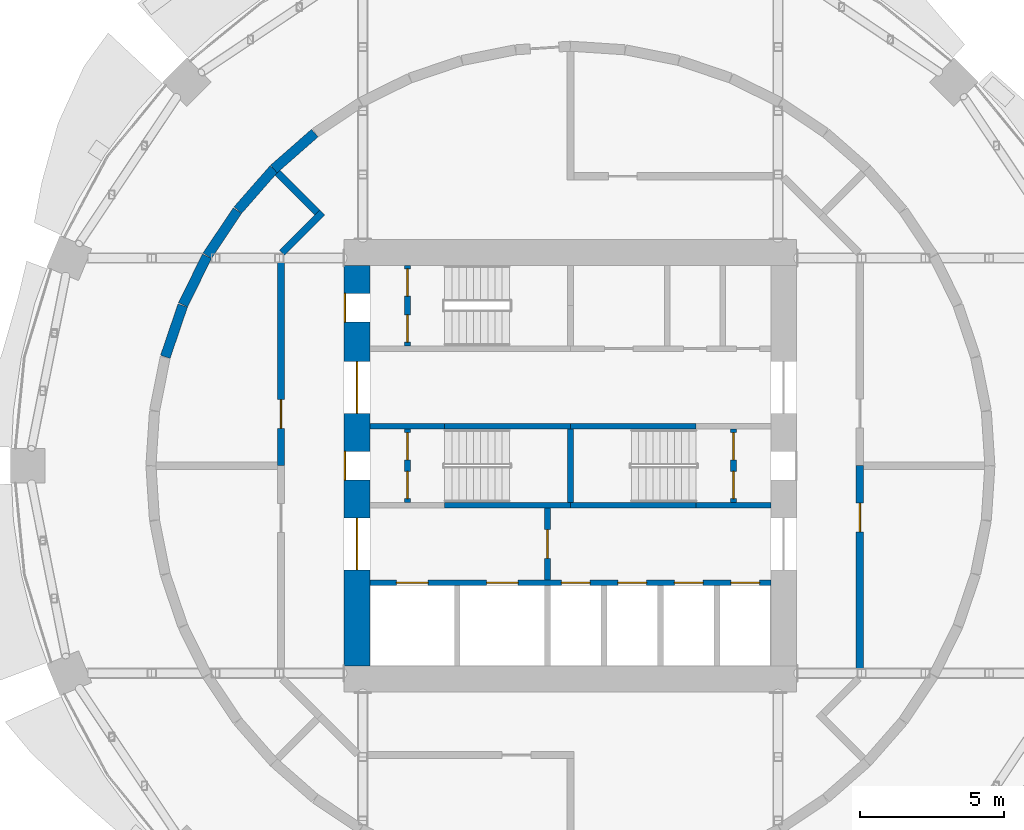
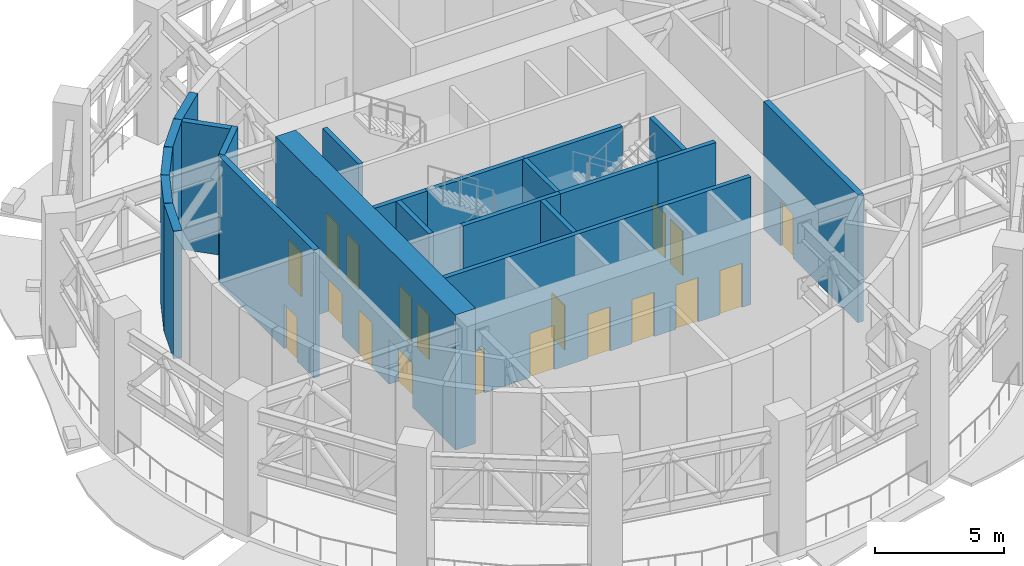
# One storey, part 7 of 14: 22 walls, 19 doors, 19 openings.
"""IFC4 building model written with IfcOpenShell, lengths in metres."""

from ifc_helpers import new_model, si_unit, direction, frame, frame_2d, origin, place, context, subcontext, project, spatial, rectangle, extrude, material, layer, layer_set, type_object, element, fill, save


model = new_model("IFC4")

# Units and contexts
model_context = context("Model", 3, precision=1e-05, world=origin(), true_north=direction((0.0, 1.0)))
body_context = subcontext(model_context, "Body", "Model", "MODEL_VIEW")
ifc_project = project(units=[si_unit("LENGTHUNIT", "METRE"), si_unit("AREAUNIT", "SQUARE_METRE"), si_unit("VOLUMEUNIT", "CUBIC_METRE"), si_unit("PLANEANGLEUNIT", "RADIAN"), si_unit("MASSUNIT", "GRAM", prefix="KILO")], contexts=[model_context])

# Site, building, storey
site_placement = place(None, origin())
site = spatial("IfcSite", under=ifc_project, at=site_placement, CompositionType="ELEMENT")
building_placement = place(site_placement, origin())
building = spatial("IfcBuilding", under=site, at=building_placement, Name="Polderwave Tower", CompositionType="ELEMENT")
storey_placement = place(building_placement, frame((0.0, 0.0, 66.35009765625)))
storey = spatial("IfcBuildingStorey", under=building, at=storey_placement, Name="L17", CompositionType="ELEMENT", Elevation=66.35009765625)

# Wall, openings, doors
ifc_material_1 = material(Name="Concrete C80/95", Category="concrete")
ifc_layer_1 = layer(ifc_material_1, 0.89990234375)
ifc_layer_set_1 = layer_set([ifc_layer_1], Name="CORE WALL 900 C80/95")
wall_type_1 = type_object("IfcWallType", Name="CORE WALL 900 C80/95", PredefinedType="SHEAR", material=ifc_layer_set_1)
wall_1_placement = place(storey_placement, frame((-7.424072265625, -6.97412109375, 0.0), z_axis=(0.0, 0.0, 1.0), x_axis=(0.0, 1.0, 0.0)))
wall_1 = element("IfcWall", 1, at=wall_1_placement, inside=storey, type_object=wall_type_1, Name="ST-CORE-L17-W", PredefinedType="SHEAR", context=body_context, shape_type="SweptSolid", body=[
    extrude(rectangle(XDim=13.9482421875, YDim=0.89990234375, at=frame_2d((6.97412109375, 0.0))), origin(), (0.0, 0.0, 1.0), 6.39990234375),
])
opening_1_placement = place(wall_1_placement, frame((6.47412109375, 0.0, 0.0)))
opening_1 = element("IfcOpeningElement", 2, at=opening_1_placement, cuts=wall_1, Name="Opening L17-D17", PredefinedType="OPENING", context=body_context, shape_type="SweptSolid", body=[
    extrude(rectangle(XDim=1.0, YDim=2.10009765625, at=frame_2d((0.5, 1.050048828125))), frame((0.0, 0.4599609375, 0.0), z_axis=(0.0, -1.0, 0.0), x_axis=(1.0, 0.0, 0.0)), (0.0, 0.0, 1.0), 0.919921875),
])
opening_2_placement = place(wall_1_placement, frame((3.349609375, 0.0, 0.0)))
opening_2 = element("IfcOpeningElement", 3, at=opening_2_placement, cuts=wall_1, Name="Opening L17-D18", PredefinedType="OPENING", context=body_context, shape_type="SweptSolid", body=[
    extrude(rectangle(XDim=1.800048828125, YDim=2.10009765625, at=frame_2d((0.89990234375, 1.050048828125))), frame((0.0, 0.4599609375, 0.0), z_axis=(0.0, -1.0, 0.0), x_axis=(1.0, 0.0, 0.0)), (0.0, 0.0, 1.0), 0.919921875),
])
opening_3_placement = place(wall_1_placement, frame((8.798583984375, 0.0, 0.0)))
opening_3 = element("IfcOpeningElement", 4, at=opening_3_placement, cuts=wall_1, Name="Opening L17-D19", PredefinedType="OPENING", context=body_context, shape_type="SweptSolid", body=[
    extrude(rectangle(XDim=1.800048828125, YDim=2.10009765625, at=frame_2d((0.89990234375, 1.050048828125))), frame((0.0, 0.4599609375, 0.0), z_axis=(0.0, -1.0, 0.0), x_axis=(1.0, 0.0, 0.0)), (0.0, 0.0, 1.0), 0.919921875),
])
opening_4_placement = place(wall_1_placement, frame((11.97412109375, 0.0, 0.0)))
opening_4 = element("IfcOpeningElement", 5, at=opening_4_placement, cuts=wall_1, Name="Opening L17-D20", PredefinedType="OPENING", context=body_context, shape_type="SweptSolid", body=[
    extrude(rectangle(XDim=1.0, YDim=2.10009765625, at=frame_2d((0.5, 1.050048828125))), frame((0.0, 0.4599609375, 0.0), z_axis=(0.0, -1.0, 0.0), x_axis=(1.0, 0.0, 0.0)), (0.0, 0.0, 1.0), 0.919921875),
])
ifc_material_2 = material(Name="Steel fire door", Category="steel")
door_type_1 = type_object("IfcDoorType", Name="Lobby entry door pair 1800", OperationType="DOUBLE_DOOR_SINGLE_SWING", PredefinedType="DOOR", material=ifc_material_2)
door_1_placement = place(opening_2_placement, origin())
door_1 = element("IfcDoor", 6, at=door_1_placement, inside=storey, type_object=door_type_1, Name="Fire-fighting lobby entry door", OperationType="DOUBLE_DOOR_SINGLE_SWING", OverallHeight=2.10009765625, OverallWidth=1.800048828125, PredefinedType="DOOR", context=body_context, shape_type="SweptSolid", body=[
    extrude(rectangle(XDim=1.800048828125, YDim=2.10009765625, at=frame_2d((0.89990234375, 1.050048828125))), frame((0.0, 0.02490234375, 0.0), z_axis=(0.0, -1.0, 0.0), x_axis=(1.0, 0.0, 0.0)), (0.0, 0.0, 1.0), 0.050048828125),
])
fill(opening_2, door_1)
door_2_placement = place(opening_3_placement, origin())
door_2 = element("IfcDoor", 7, at=door_2_placement, inside=storey, type_object=door_type_1, Name="North lobby entry door", OperationType="DOUBLE_DOOR_SINGLE_SWING", OverallHeight=2.10009765625, OverallWidth=1.800048828125, PredefinedType="DOOR", context=body_context, shape_type="SweptSolid", body=[
    extrude(rectangle(XDim=1.800048828125, YDim=2.10009765625, at=frame_2d((0.89990234375, 1.050048828125))), frame((0.0, 0.02490234375, 0.0), z_axis=(0.0, -1.0, 0.0), x_axis=(1.0, 0.0, 0.0)), (0.0, 0.0, 1.0), 0.050048828125),
])
fill(opening_3, door_2)
door_type_2 = type_object("IfcDoorType", Name="Stair door 1000", OperationType="NOTDEFINED", PredefinedType="DOOR", material=ifc_material_2)
door_3_placement = place(opening_1_placement, origin())
door_3 = element("IfcDoor", 8, at=door_3_placement, inside=storey, type_object=door_type_2, Name="Stair A entry door", OperationType="SINGLE_SWING_RIGHT", OverallHeight=2.10009765625, OverallWidth=1.0, PredefinedType="DOOR", context=body_context, shape_type="SweptSolid", body=[
    extrude(rectangle(XDim=1.0, YDim=2.10009765625, at=frame_2d((0.5, 1.050048828125))), frame((0.0, 0.4501953125, 0.0), z_axis=(0.0, -1.0, 0.0), x_axis=(1.0, 0.0, 0.0)), (0.0, 0.0, 1.0), 0.050048828125),
])
fill(opening_1, door_3)
door_4_placement = place(opening_4_placement, origin())
door_4 = element("IfcDoor", 9, at=door_4_placement, inside=storey, type_object=door_type_2, Name="Stair C entry door", OperationType="SINGLE_SWING_RIGHT", OverallHeight=2.10009765625, OverallWidth=1.0, PredefinedType="DOOR", context=body_context, shape_type="SweptSolid", body=[
    extrude(rectangle(XDim=1.0, YDim=2.10009765625, at=frame_2d((0.5, 1.050048828125))), frame((0.0, 0.4501953125, 0.0), z_axis=(0.0, -1.0, 0.0), x_axis=(1.0, 0.0, 0.0)), (0.0, 0.0, 1.0), 0.050048828125),
])
fill(opening_4, door_4)

# Wall, opening, door
ifc_material_3 = material(Name="Gypsum board partition")
ifc_layer_2 = layer(ifc_material_3, 0.199951171875)
ifc_layer_set_2 = layer_set([ifc_layer_2], Name="Core room partition 200")
wall_type_2 = type_object("IfcWallType", Name="Core room partition 200", PredefinedType="PARTITIONING", material=ifc_layer_set_2)
wall_2_placement = place(storey_placement, frame((-0.800048828125, -3.97412109375, 0.0), z_axis=(0.0, 0.0, 1.0), x_axis=(0.0, 1.0, 0.0)))
wall_2 = element("IfcWall", 10, at=wall_2_placement, inside=storey, type_object=wall_type_2, Name="L17 fire-fighting lobby wall", PredefinedType="PARTITIONING", context=body_context, shape_type="SweptSolid", body=[
    extrude(rectangle(XDim=2.4990234375, YDim=0.199951171875, at=frame_2d((1.24951171875, 0.0))), origin(), (0.0, 0.0, 1.0), 6.0498046875),
])
opening_5_placement = place(wall_2_placement, frame((0.74951171875, 0.0, 0.0)))
opening_5 = element("IfcOpeningElement", 11, at=opening_5_placement, cuts=wall_2, Name="Opening L17-D13", PredefinedType="OPENING", context=body_context, shape_type="SweptSolid", body=[
    extrude(rectangle(XDim=1.0, YDim=2.10009765625, at=frame_2d((0.5, 1.050048828125))), frame((0.0, 0.10986328125, 0.0), z_axis=(0.0, -1.0, 0.0), x_axis=(1.0, 0.0, 0.0)), (0.0, 0.0, 1.0), 0.219970703125),
])
door_type_3 = type_object("IfcDoorType", Name="Lobby fire door 1000", OperationType="NOTDEFINED", PredefinedType="DOOR", material=ifc_material_2)
door_5_placement = place(opening_5_placement, frame((1.0, 0.0, 0.0), z_axis=(0.0, 0.0, 1.0), x_axis=(-1.0, 0.0, 0.0)))
door_5 = element("IfcDoor", 12, at=door_5_placement, inside=storey, type_object=door_type_3, Name="Fire-fighting lobby door", OperationType="SINGLE_SWING_LEFT", OverallHeight=2.10009765625, OverallWidth=1.0, PredefinedType="DOOR", context=body_context, shape_type="SweptSolid", body=[
    extrude(rectangle(XDim=1.0, YDim=2.10009765625, at=frame_2d((0.5, 1.050048828125))), frame((0.0, 0.02490234375, 0.0), z_axis=(0.0, -1.0, 0.0), x_axis=(1.0, 0.0, 0.0)), (0.0, 0.0, 1.0), 0.050048828125),
])
fill(opening_5, door_5)

# Wall, openings, doors
wall_3_placement = place(storey_placement, frame((-5.674072265625, -1.27490234375, 0.0), z_axis=(0.0, 0.0, 1.0), x_axis=(0.0, 1.0, 0.0)))
wall_3 = element("IfcWall", 13, at=wall_3_placement, inside=storey, type_object=wall_type_2, Name="L17 smoke lobby wall A", PredefinedType="PARTITIONING", context=body_context, shape_type="SweptSolid", body=[
    extrude(rectangle(XDim=2.5498046875, YDim=0.199951171875, at=frame_2d((1.27490234375, 0.0))), origin(), (0.0, 0.0, 1.0), 6.0498046875),
])
opening_6_placement = place(wall_3_placement, frame((0.125, 0.0, 0.0)))
opening_6 = element("IfcOpeningElement", 14, at=opening_6_placement, cuts=wall_3, Name="Opening L17-D07", PredefinedType="OPENING", context=body_context, shape_type="SweptSolid", body=[
    extrude(rectangle(XDim=0.949951171875, YDim=2.10009765625, at=frame_2d((0.47509765625, 1.050048828125))), frame((0.0, 0.10986328125, 0.0), z_axis=(0.0, -1.0, 0.0), x_axis=(1.0, 0.0, 0.0)), (0.0, 0.0, 1.0), 0.219970703125),
])
opening_7_placement = place(wall_3_placement, frame((1.47509765625, 0.0, 0.0)))
opening_7 = element("IfcOpeningElement", 15, at=opening_7_placement, cuts=wall_3, Name="Opening L17-D08", PredefinedType="OPENING", context=body_context, shape_type="SweptSolid", body=[
    extrude(rectangle(XDim=0.949951171875, YDim=2.10009765625, at=frame_2d((0.47509765625, 1.050048828125))), frame((0.0, 0.10986328125, 0.0), z_axis=(0.0, -1.0, 0.0), x_axis=(1.0, 0.0, 0.0)), (0.0, 0.0, 1.0), 0.219970703125),
])
door_type_4 = type_object("IfcDoorType", Name="Smoke lobby door 950", OperationType="NOTDEFINED", PredefinedType="DOOR", material=ifc_material_2)
door_6_placement = place(opening_6_placement, origin())
door_6 = element("IfcDoor", 16, at=door_6_placement, inside=storey, type_object=door_type_4, Name="Stair A smoke lobby inner door", OperationType="SINGLE_SWING_LEFT", OverallHeight=2.10009765625, OverallWidth=0.949951171875, PredefinedType="DOOR", context=body_context, shape_type="SweptSolid", body=[
    extrude(rectangle(XDim=0.949951171875, YDim=2.10009765625, at=frame_2d((0.47509765625, 1.050048828125))), frame((0.0, 0.02490234375, 0.0), z_axis=(0.0, -1.0, 0.0), x_axis=(1.0, 0.0, 0.0)), (0.0, 0.0, 1.0), 0.050048828125),
])
fill(opening_6, door_6)
door_7_placement = place(opening_7_placement, origin())
door_7 = element("IfcDoor", 17, at=door_7_placement, inside=storey, type_object=door_type_4, Name="Stair A smoke lobby inner door", OperationType="SINGLE_SWING_RIGHT", OverallHeight=2.10009765625, OverallWidth=0.949951171875, PredefinedType="DOOR", context=body_context, shape_type="SweptSolid", body=[
    extrude(rectangle(XDim=0.949951171875, YDim=2.10009765625, at=frame_2d((0.47509765625, 1.050048828125))), frame((0.0, 0.02490234375, 0.0), z_axis=(0.0, -1.0, 0.0), x_axis=(1.0, 0.0, 0.0)), (0.0, 0.0, 1.0), 0.050048828125),
])
fill(opening_7, door_7)

wall_4_placement = place(storey_placement, frame((5.674072265625, -1.27490234375, 0.0), z_axis=(0.0, 0.0, 1.0), x_axis=(0.0, 1.0, 0.0)))
wall_4 = element("IfcWall", 18, at=wall_4_placement, inside=storey, type_object=wall_type_2, Name="L17 smoke lobby wall B", PredefinedType="PARTITIONING", context=body_context, shape_type="SweptSolid", body=[
    extrude(rectangle(XDim=2.5498046875, YDim=0.199951171875, at=frame_2d((1.27490234375, 0.0))), origin(), (0.0, 0.0, 1.0), 6.0498046875),
])
opening_8_placement = place(wall_4_placement, frame((0.125, 0.0, 0.0)))
opening_8 = element("IfcOpeningElement", 19, at=opening_8_placement, cuts=wall_4, Name="Opening L17-D09", PredefinedType="OPENING", context=body_context, shape_type="SweptSolid", body=[
    extrude(rectangle(XDim=0.949951171875, YDim=2.10009765625, at=frame_2d((0.47509765625, 1.050048828125))), frame((0.0, 0.10986328125, 0.0), z_axis=(0.0, -1.0, 0.0), x_axis=(1.0, 0.0, 0.0)), (0.0, 0.0, 1.0), 0.219970703125),
])
opening_9_placement = place(wall_4_placement, frame((1.47509765625, 0.0, 0.0)))
opening_9 = element("IfcOpeningElement", 20, at=opening_9_placement, cuts=wall_4, Name="Opening L17-D10", PredefinedType="OPENING", context=body_context, shape_type="SweptSolid", body=[
    extrude(rectangle(XDim=0.949951171875, YDim=2.10009765625, at=frame_2d((0.47509765625, 1.050048828125))), frame((0.0, 0.10986328125, 0.0), z_axis=(0.0, -1.0, 0.0), x_axis=(1.0, 0.0, 0.0)), (0.0, 0.0, 1.0), 0.219970703125),
])
door_8_placement = place(opening_8_placement, frame((0.949951171875, 0.0, 0.0), z_axis=(0.0, 0.0, 1.0), x_axis=(-1.0, 0.0, 0.0)))
door_8 = element("IfcDoor", 21, at=door_8_placement, inside=storey, type_object=door_type_4, Name="Stair B smoke lobby inner door", OperationType="SINGLE_SWING_RIGHT", OverallHeight=2.10009765625, OverallWidth=0.949951171875, PredefinedType="DOOR", context=body_context, shape_type="SweptSolid", body=[
    extrude(rectangle(XDim=0.949951171875, YDim=2.10009765625, at=frame_2d((0.47509765625, 1.050048828125))), frame((0.0, 0.02490234375, 0.0), z_axis=(0.0, -1.0, 0.0), x_axis=(1.0, 0.0, 0.0)), (0.0, 0.0, 1.0), 0.050048828125),
])
fill(opening_8, door_8)
door_9_placement = place(opening_9_placement, frame((0.949951171875, 0.0, 0.0), z_axis=(0.0, 0.0, 1.0), x_axis=(-1.0, 0.0, 0.0)))
door_9 = element("IfcDoor", 22, at=door_9_placement, inside=storey, type_object=door_type_4, Name="Stair B smoke lobby inner door", OperationType="SINGLE_SWING_LEFT", OverallHeight=2.10009765625, OverallWidth=0.949951171875, PredefinedType="DOOR", context=body_context, shape_type="SweptSolid", body=[
    extrude(rectangle(XDim=0.949951171875, YDim=2.10009765625, at=frame_2d((0.47509765625, 1.050048828125))), frame((0.0, 0.02490234375, 0.0), z_axis=(0.0, -1.0, 0.0), x_axis=(1.0, 0.0, 0.0)), (0.0, 0.0, 1.0), 0.050048828125),
])
fill(opening_9, door_9)

wall_5_placement = place(storey_placement, frame((-5.674072265625, 4.174072265625, 0.0), z_axis=(0.0, 0.0, 1.0), x_axis=(0.0, 1.0, 0.0)))
wall_5 = element("IfcWall", 23, at=wall_5_placement, inside=storey, type_object=wall_type_2, Name="L17 smoke lobby wall C", PredefinedType="PARTITIONING", context=body_context, shape_type="SweptSolid", body=[
    extrude(rectangle(XDim=2.800048828125, YDim=0.199951171875, at=frame_2d((1.39990234375, 0.0))), origin(), (0.0, 0.0, 1.0), 6.0498046875),
])
opening_10_placement = place(wall_5_placement, frame((0.125, 0.0, 0.0)))
opening_10 = element("IfcOpeningElement", 24, at=opening_10_placement, cuts=wall_5, Name="Opening L17-D11", PredefinedType="OPENING", context=body_context, shape_type="SweptSolid", body=[
    extrude(rectangle(XDim=0.949951171875, YDim=2.10009765625, at=frame_2d((0.47509765625, 1.050048828125))), frame((0.0, 0.10986328125, 0.0), z_axis=(0.0, -1.0, 0.0), x_axis=(1.0, 0.0, 0.0)), (0.0, 0.0, 1.0), 0.219970703125),
])
opening_11_placement = place(wall_5_placement, frame((1.72509765625, 0.0, 0.0)))
opening_11 = element("IfcOpeningElement", 25, at=opening_11_placement, cuts=wall_5, Name="Opening L17-D12", PredefinedType="OPENING", context=body_context, shape_type="SweptSolid", body=[
    extrude(rectangle(XDim=0.949951171875, YDim=2.10009765625, at=frame_2d((0.47509765625, 1.050048828125))), frame((0.0, 0.10986328125, 0.0), z_axis=(0.0, -1.0, 0.0), x_axis=(1.0, 0.0, 0.0)), (0.0, 0.0, 1.0), 0.219970703125),
])
door_10_placement = place(opening_10_placement, origin())
door_10 = element("IfcDoor", 26, at=door_10_placement, inside=storey, type_object=door_type_4, Name="Stair C smoke lobby inner door", OperationType="SINGLE_SWING_LEFT", OverallHeight=2.10009765625, OverallWidth=0.949951171875, PredefinedType="DOOR", context=body_context, shape_type="SweptSolid", body=[
    extrude(rectangle(XDim=0.949951171875, YDim=2.10009765625, at=frame_2d((0.47509765625, 1.050048828125))), frame((0.0, 0.02490234375, 0.0), z_axis=(0.0, -1.0, 0.0), x_axis=(1.0, 0.0, 0.0)), (0.0, 0.0, 1.0), 0.050048828125),
])
fill(opening_10, door_10)
door_11_placement = place(opening_11_placement, origin())
door_11 = element("IfcDoor", 27, at=door_11_placement, inside=storey, type_object=door_type_4, Name="Stair C smoke lobby inner door", OperationType="SINGLE_SWING_RIGHT", OverallHeight=2.10009765625, OverallWidth=0.949951171875, PredefinedType="DOOR", context=body_context, shape_type="SweptSolid", body=[
    extrude(rectangle(XDim=0.949951171875, YDim=2.10009765625, at=frame_2d((0.47509765625, 1.050048828125))), frame((0.0, 0.02490234375, 0.0), z_axis=(0.0, -1.0, 0.0), x_axis=(1.0, 0.0, 0.0)), (0.0, 0.0, 1.0), 0.050048828125),
])
fill(opening_11, door_11)

ifc_material_4 = material(Name="Concrete C50/60", Category="concrete")
ifc_layer_3 = layer(ifc_material_4, 0.199951171875)
ifc_layer_set_3 = layer_set([ifc_layer_3], Name="Core web wall 200")
wall_type_3 = type_object("IfcWallType", Name="Core web wall 200", PredefinedType="SHEAR", material=ifc_layer_set_3)
wall_6_placement = place(storey_placement, frame((-6.97412109375, -4.073974609375, 0.0), z_axis=(0.0, 0.0, 1.0), x_axis=(1.0, 0.0, 0.0)))
wall_6 = element("IfcWall", 28, at=wall_6_placement, inside=storey, type_object=wall_type_3, Name="L17 south front wall", PredefinedType="SHEAR", context=body_context, shape_type="SweptSolid", body=[
    extrude(rectangle(XDim=13.9482421875, YDim=0.199951171875, at=frame_2d((6.97412109375, 0.0))), origin(), (0.0, 0.0, 1.0), 6.0498046875),
])
opening_12_placement = place(wall_6_placement, frame((0.91845703125, 0.0, 0.0)))
opening_12 = element("IfcOpeningElement", 29, at=opening_12_placement, cuts=wall_6, Name="Opening L17-D01", PredefinedType="OPENING", context=body_context, shape_type="SweptSolid", body=[
    extrude(rectangle(XDim=1.10009765625, YDim=2.10009765625, at=frame_2d((0.550048828125, 1.050048828125))), frame((0.0, 0.10986328125, 0.0), z_axis=(0.0, -1.0, 0.0), x_axis=(1.0, 0.0, 0.0)), (0.0, 0.0, 1.0), 0.219970703125),
])
opening_13_placement = place(wall_6_placement, frame((4.055419921875, 0.0, 0.0)))
opening_13 = element("IfcOpeningElement", 30, at=opening_13_placement, cuts=wall_6, Name="Opening L17-D02", PredefinedType="OPENING", context=body_context, shape_type="SweptSolid", body=[
    extrude(rectangle(XDim=1.10009765625, YDim=2.10009765625, at=frame_2d((0.550048828125, 1.050048828125))), frame((0.0, 0.10986328125, 0.0), z_axis=(0.0, -1.0, 0.0), x_axis=(1.0, 0.0, 0.0)), (0.0, 0.0, 1.0), 0.219970703125),
])
opening_14_placement = place(wall_6_placement, frame((6.658203125, 0.0, 0.0)))
opening_14 = element("IfcOpeningElement", 31, at=opening_14_placement, cuts=wall_6, Name="Opening L17-D03", PredefinedType="OPENING", context=body_context, shape_type="SweptSolid", body=[
    extrude(rectangle(XDim=1.0, YDim=2.10009765625, at=frame_2d((0.5, 1.050048828125))), frame((0.0, 0.10986328125, 0.0), z_axis=(0.0, -1.0, 0.0), x_axis=(1.0, 0.0, 0.0)), (0.0, 0.0, 1.0), 0.219970703125),
])
opening_15_placement = place(wall_6_placement, frame((8.626708984375, 0.0, 0.0)))
opening_15 = element("IfcOpeningElement", 32, at=opening_15_placement, cuts=wall_6, Name="Opening L17-D04", PredefinedType="OPENING", context=body_context, shape_type="SweptSolid", body=[
    extrude(rectangle(XDim=1.0, YDim=2.10009765625, at=frame_2d((0.5, 1.050048828125))), frame((0.0, 0.10986328125, 0.0), z_axis=(0.0, -1.0, 0.0), x_axis=(1.0, 0.0, 0.0)), (0.0, 0.0, 1.0), 0.219970703125),
])
opening_16_placement = place(wall_6_placement, frame((10.59521484375, 0.0, 0.0)))
opening_16 = element("IfcOpeningElement", 33, at=opening_16_placement, cuts=wall_6, Name="Opening L17-D05", PredefinedType="OPENING", context=body_context, shape_type="SweptSolid", body=[
    extrude(rectangle(XDim=1.0, YDim=2.10009765625, at=frame_2d((0.5, 1.050048828125))), frame((0.0, 0.10986328125, 0.0), z_axis=(0.0, -1.0, 0.0), x_axis=(1.0, 0.0, 0.0)), (0.0, 0.0, 1.0), 0.219970703125),
])
opening_17_placement = place(wall_6_placement, frame((12.563720703125, 0.0, 0.0)))
opening_17 = element("IfcOpeningElement", 34, at=opening_17_placement, cuts=wall_6, Name="Opening L17-D06", PredefinedType="OPENING", context=body_context, shape_type="SweptSolid", body=[
    extrude(rectangle(XDim=1.0, YDim=2.10009765625, at=frame_2d((0.5, 1.050048828125))), frame((0.0, 0.10986328125, 0.0), z_axis=(0.0, -1.0, 0.0), x_axis=(1.0, 0.0, 0.0)), (0.0, 0.0, 1.0), 0.219970703125),
])
ifc_material_5 = material(Name="Stainless steel", Category="steel")
door_type_5 = type_object("IfcDoorType", Name="Fire-fighting lift landing door 1100", OperationType="DOUBLE_DOOR_SLIDING", PredefinedType="DOOR", material=ifc_material_5)
door_12_placement = place(opening_12_placement, origin())
door_12 = element("IfcDoor", 35, at=door_12_placement, inside=storey, type_object=door_type_5, Name="Fire-fighting lift FF1 landing door", OperationType="DOUBLE_DOOR_SLIDING", OverallHeight=2.10009765625, OverallWidth=1.10009765625, PredefinedType="DOOR", context=body_context, shape_type="SweptSolid", body=[
    extrude(rectangle(XDim=1.10009765625, YDim=2.10009765625, at=frame_2d((0.550048828125, 1.050048828125))), frame((0.0, 0.02490234375, 0.0), z_axis=(0.0, -1.0, 0.0), x_axis=(1.0, 0.0, 0.0)), (0.0, 0.0, 1.0), 0.050048828125),
])
fill(opening_12, door_12)
door_13_placement = place(opening_13_placement, origin())
door_13 = element("IfcDoor", 36, at=door_13_placement, inside=storey, type_object=door_type_5, Name="Fire-fighting lift FF2 landing door", OperationType="DOUBLE_DOOR_SLIDING", OverallHeight=2.10009765625, OverallWidth=1.10009765625, PredefinedType="DOOR", context=body_context, shape_type="SweptSolid", body=[
    extrude(rectangle(XDim=1.10009765625, YDim=2.10009765625, at=frame_2d((0.550048828125, 1.050048828125))), frame((0.0, 0.02490234375, 0.0), z_axis=(0.0, -1.0, 0.0), x_axis=(1.0, 0.0, 0.0)), (0.0, 0.0, 1.0), 0.050048828125),
])
fill(opening_13, door_13)
door_type_6 = type_object("IfcDoorType", Name="Lift landing door 1000", OperationType="DOUBLE_DOOR_SLIDING", PredefinedType="DOOR", material=ifc_material_5)
door_14_placement = place(opening_14_placement, origin())
door_14 = element("IfcDoor", 37, at=door_14_placement, inside=storey, type_object=door_type_6, Name="Lift LL1 landing door", OperationType="DOUBLE_DOOR_SLIDING", OverallHeight=2.10009765625, OverallWidth=1.0, PredefinedType="DOOR", context=body_context, shape_type="SweptSolid", body=[
    extrude(rectangle(XDim=1.0, YDim=2.10009765625, at=frame_2d((0.5, 1.050048828125))), frame((0.0, 0.02490234375, 0.0), z_axis=(0.0, -1.0, 0.0), x_axis=(1.0, 0.0, 0.0)), (0.0, 0.0, 1.0), 0.050048828125),
])
fill(opening_14, door_14)
door_15_placement = place(opening_15_placement, origin())
door_15 = element("IfcDoor", 38, at=door_15_placement, inside=storey, type_object=door_type_6, Name="Lift LL2 landing door", OperationType="DOUBLE_DOOR_SLIDING", OverallHeight=2.10009765625, OverallWidth=1.0, PredefinedType="DOOR", context=body_context, shape_type="SweptSolid", body=[
    extrude(rectangle(XDim=1.0, YDim=2.10009765625, at=frame_2d((0.5, 1.050048828125))), frame((0.0, 0.02490234375, 0.0), z_axis=(0.0, -1.0, 0.0), x_axis=(1.0, 0.0, 0.0)), (0.0, 0.0, 1.0), 0.050048828125),
])
fill(opening_15, door_15)
door_16_placement = place(opening_16_placement, origin())
door_16 = element("IfcDoor", 39, at=door_16_placement, inside=storey, type_object=door_type_6, Name="Lift LL3 landing door", OperationType="DOUBLE_DOOR_SLIDING", OverallHeight=2.10009765625, OverallWidth=1.0, PredefinedType="DOOR", context=body_context, shape_type="SweptSolid", body=[
    extrude(rectangle(XDim=1.0, YDim=2.10009765625, at=frame_2d((0.5, 1.050048828125))), frame((0.0, 0.02490234375, 0.0), z_axis=(0.0, -1.0, 0.0), x_axis=(1.0, 0.0, 0.0)), (0.0, 0.0, 1.0), 0.050048828125),
])
fill(opening_16, door_16)
door_17_placement = place(opening_17_placement, origin())
door_17 = element("IfcDoor", 40, at=door_17_placement, inside=storey, type_object=door_type_6, Name="Lift LL4 landing door", OperationType="DOUBLE_DOOR_SLIDING", OverallHeight=2.10009765625, OverallWidth=1.0, PredefinedType="DOOR", context=body_context, shape_type="SweptSolid", body=[
    extrude(rectangle(XDim=1.0, YDim=2.10009765625, at=frame_2d((0.5, 1.050048828125))), frame((0.0, 0.02490234375, 0.0), z_axis=(0.0, -1.0, 0.0), x_axis=(1.0, 0.0, 0.0)), (0.0, 0.0, 1.0), 0.050048828125),
])
fill(opening_17, door_17)

# Walls
for number, where, z_axis, x_axis, name in (
    (41, (-4.3740234375, -1.375, 0.0), (0.0, 0.0, 1.0), (1.0, 0.0, 0.0), "L17 south stair wall 2"),
    (42, (0.0, -1.375, 0.0), (0.0, 0.0, 1.0), (1.0, 0.0, 0.0), "L17 south stair wall 3"),
):
    element("IfcWall", number, at=place(storey_placement, frame(where, z_axis=z_axis, x_axis=x_axis)), inside=storey, type_object=wall_type_3, Name=name, PredefinedType="SHEAR", context=body_context, shape_type="SweptSolid", body=[
        extrude(rectangle(XDim=4.3740234375, YDim=0.199951171875, at=frame_2d((2.18701171875, 0.0))), origin(), (0.0, 0.0, 1.0), 6.0498046875),
    ])
for number, where, z_axis, x_axis, name in (
    (43, (4.3740234375, -1.375, 0.0), (0.0, 0.0, 1.0), (1.0, 0.0, 0.0), "L17 south stair wall 4"),
    (44, (-6.97412109375, 1.375, 0.0), (0.0, 0.0, 1.0), (1.0, 0.0, 0.0), "L17 north stair wall 1"),
):
    element("IfcWall", number, at=place(storey_placement, frame(where, z_axis=z_axis, x_axis=x_axis)), inside=storey, type_object=wall_type_3, Name=name, PredefinedType="SHEAR", context=body_context, shape_type="SweptSolid", body=[
        extrude(rectangle(XDim=2.60009765625, YDim=0.199951171875, at=frame_2d((1.300048828125, 0.0))), origin(), (0.0, 0.0, 1.0), 6.0498046875),
    ])
for number, where, z_axis, x_axis, name in (
    (45, (-4.3740234375, 1.375, 0.0), (0.0, 0.0, 1.0), (1.0, 0.0, 0.0), "L17 north stair wall 2"),
    (46, (0.0, 1.375, 0.0), (0.0, 0.0, 1.0), (1.0, 0.0, 0.0), "L17 north stair wall 3"),
):
    element("IfcWall", number, at=place(storey_placement, frame(where, z_axis=z_axis, x_axis=x_axis)), inside=storey, type_object=wall_type_3, Name=name, PredefinedType="SHEAR", context=body_context, shape_type="SweptSolid", body=[
        extrude(rectangle(XDim=4.3740234375, YDim=0.199951171875, at=frame_2d((2.18701171875, 0.0))), origin(), (0.0, 0.0, 1.0), 6.0498046875),
    ])
wall_7_placement = place(storey_placement, frame((0.0, -1.27490234375, 0.0), z_axis=(0.0, 0.0, 1.0), x_axis=(0.0, 1.0, 0.0)))
element("IfcWall", 47, at=wall_7_placement, inside=storey, type_object=wall_type_3, Name="L17 wall between the stairs", PredefinedType="SHEAR", context=body_context, shape_type="SweptSolid", body=[
    extrude(rectangle(XDim=2.5498046875, YDim=0.199951171875, at=frame_2d((1.27490234375, 0.0))), origin(), (0.0, 0.0, 1.0), 6.0498046875),
])
ifc_material_6 = material(Name="Insulated metal rainscreen on fire-resisting board")
ifc_layer_4 = layer(ifc_material_6, 0.35009765625)
ifc_layer_set_4 = layer_set([ifc_layer_4], Name="Plant enclosure wall 350 mm EI 120")
wall_type_4 = type_object("IfcWallType", Name="Plant enclosure wall 350 mm EI 120", PredefinedType="PARTITIONING", material=ifc_layer_set_4)
wall_8_placement = place(storey_placement, frame((-10.32373046875, 10.32373046875, 0.0), z_axis=(0.0, 0.0, 1.0), x_axis=(0.751827337506, 0.659360034108, 0.0)))
element("IfcWall", 48, at=wall_8_placement, inside=storey, type_object=wall_type_4, Name="IN-L17-W028", PredefinedType="PARTITIONING", context=body_context, shape_type="SweptSolid", body=[
    extrude(rectangle(XDim=1.8984375, YDim=0.35009765625, at=frame_2d((0.94921875, 0.0))), origin(), (0.0, 0.0, 1.0), 6.0498046875),
])
for number, where, z_axis, x_axis, name in (
    (49, (-14.098876953125, 3.789794921875, 0.0), (0.0, 0.0, 1.0), (0.321540837015, 0.946895712384, 0.0), "IN-L17-W037"),
    (50, (-13.4833984375, 5.597412109375, 0.0), (0.0, 0.0, 1.0), (0.442134217984, 0.896948902272, 0.0), "IN-L17-W038"),
):
    element("IfcWall", number, at=place(storey_placement, frame(where, z_axis=z_axis, x_axis=x_axis)), inside=storey, type_object=wall_type_4, Name=name, PredefinedType="PARTITIONING", context=body_context, shape_type="SweptSolid", body=[
        extrude(rectangle(XDim=1.88671875, YDim=0.35009765625, at=frame_2d((0.943359375, 0.0))), origin(), (0.0, 0.0, 1.0), 6.0498046875),
    ])
wall_9_placement = place(storey_placement, frame((-12.6376953125, 7.3095703125, 0.0), z_axis=(0.0, 0.0, 1.0), x_axis=(0.555595643605, 0.831452632931, 0.0)))
element("IfcWall", 51, at=wall_9_placement, inside=storey, type_object=wall_type_4, Name="IN-L17-W039", PredefinedType="PARTITIONING", context=body_context, shape_type="SweptSolid", body=[
    extrude(rectangle(XDim=1.886962890625, YDim=0.35009765625, at=frame_2d((0.943359375, 0.0))), origin(), (0.0, 0.0, 1.0), 6.0498046875),
])
wall_10_placement = place(storey_placement, frame((-11.575439453125, 8.896484375, 0.0), z_axis=(0.0, 0.0, 1.0), x_axis=(0.659360034108, 0.751827337506, 0.0)))
element("IfcWall", 52, at=wall_10_placement, inside=storey, type_object=wall_type_4, Name="IN-L17-W040", PredefinedType="PARTITIONING", context=body_context, shape_type="SweptSolid", body=[
    extrude(rectangle(XDim=1.8984375, YDim=0.35009765625, at=frame_2d((0.94921875, 0.0))), origin(), (0.0, 0.0, 1.0), 6.0498046875),
])

# Wall, opening, door
ifc_material_7 = material(Name="Fire-resisting board on steel studs, mineral wool", Category="steel")
ifc_layer_5 = layer(ifc_material_7, 0.25)
ifc_layer_set_5 = layer_set([ifc_layer_5], Name="Plant room wall 250 mm EI 120")
wall_type_5 = type_object("IfcWallType", Name="Plant room wall 250 mm EI 120", PredefinedType="PARTITIONING", material=ifc_layer_set_5)
wall_11_placement = place(storey_placement, frame((10.073974609375, 0.0, 0.0), z_axis=(0.0, 0.0, 1.0), x_axis=(0.0, -1.0, 0.0)))
wall_11 = element("IfcWall", 53, at=wall_11_placement, inside=storey, type_object=wall_type_5, Name="IN-L17-W004", PredefinedType="PARTITIONING", context=body_context, shape_type="SweptSolid", body=[
    extrude(rectangle(XDim=7.3193359375, YDim=0.25, at=frame_2d((3.65966796875, 0.0))), origin(), (0.0, 0.0, 1.0), 6.0498046875),
])
opening_18_placement = place(wall_11_placement, frame((1.300048828125, 0.0, 0.0)))
opening_18 = element("IfcOpeningElement", 54, at=opening_18_placement, cuts=wall_11, Name="Opening L17-D51", PredefinedType="OPENING", context=body_context, shape_type="SweptSolid", body=[
    extrude(rectangle(XDim=1.0, YDim=2.10009765625, at=frame_2d((0.5, 1.050048828125))), frame((0.0, 0.135009765625, 0.0), z_axis=(0.0, -1.0, 0.0), x_axis=(1.0, 0.0, 0.0)), (0.0, 0.0, 1.0), 0.27001953125),
])
ifc_material_8 = material(Name="Steel plant door leaf", Category="steel")
door_type_7 = type_object("IfcDoorType", Name="Plant door FD60 1000 x 2100 steel", OperationType="NOTDEFINED", PredefinedType="DOOR", material=ifc_material_8)
door_18_placement = place(opening_18_placement, origin())
door_18 = element("IfcDoor", 55, at=door_18_placement, inside=storey, type_object=door_type_7, Name="Door L17-D51", OperationType="SINGLE_SWING_LEFT", OverallHeight=2.10009765625, OverallWidth=1.0, PredefinedType="DOOR", context=body_context, shape_type="SweptSolid", body=[
    extrude(rectangle(XDim=1.0, YDim=2.10009765625, at=frame_2d((0.5, 1.050048828125))), frame((0.0, 0.02490234375, 0.0), z_axis=(0.0, -1.0, 0.0), x_axis=(1.0, 0.0, 0.0)), (0.0, 0.0, 1.0), 0.050048828125),
])
fill(opening_18, door_18)

wall_12_placement = place(storey_placement, frame((-10.073974609375, 0.0, 0.0), z_axis=(0.0, 0.0, 1.0), x_axis=(0.0, 1.0, 0.0)))
wall_12 = element("IfcWall", 56, at=wall_12_placement, inside=storey, type_object=wall_type_5, Name="IN-L17-W007", PredefinedType="PARTITIONING", context=body_context, shape_type="SweptSolid", body=[
    extrude(rectangle(XDim=7.3193359375, YDim=0.25, at=frame_2d((3.65966796875, 0.0))), origin(), (0.0, 0.0, 1.0), 6.0498046875),
])
opening_19_placement = place(wall_12_placement, frame((1.300048828125, 0.0, 0.0)))
opening_19 = element("IfcOpeningElement", 57, at=opening_19_placement, cuts=wall_12, Name="Opening L17-D53", PredefinedType="OPENING", context=body_context, shape_type="SweptSolid", body=[
    extrude(rectangle(XDim=1.0, YDim=2.10009765625, at=frame_2d((0.5, 1.050048828125))), frame((0.0, 0.135009765625, 0.0), z_axis=(0.0, -1.0, 0.0), x_axis=(1.0, 0.0, 0.0)), (0.0, 0.0, 1.0), 0.27001953125),
])
door_19_placement = place(opening_19_placement, origin())
door_19 = element("IfcDoor", 58, at=door_19_placement, inside=storey, type_object=door_type_7, Name="Door L17-D53", OperationType="SINGLE_SWING_LEFT", OverallHeight=2.10009765625, OverallWidth=1.0, PredefinedType="DOOR", context=body_context, shape_type="SweptSolid", body=[
    extrude(rectangle(XDim=1.0, YDim=2.10009765625, at=frame_2d((0.5, 1.050048828125))), frame((0.0, 0.02490234375, 0.0), z_axis=(0.0, -1.0, 0.0), x_axis=(1.0, 0.0, 0.0)), (0.0, 0.0, 1.0), 0.050048828125),
])
fill(opening_19, door_19)

# Walls
wall_13_placement = place(storey_placement, frame((-10.037353515625, 7.40771484375, 0.0), z_axis=(0.0, 0.0, 1.0), x_axis=(0.707168292802, 0.70704526422, 0.0)))
element("IfcWall", 59, at=wall_13_placement, inside=storey, type_object=wall_type_5, Name="IN-L17-W008", PredefinedType="PARTITIONING", context=body_context, shape_type="SweptSolid", body=[
    extrude(rectangle(XDim=1.984375, YDim=0.25, at=frame_2d((0.9921875, 0.0))), origin(), (0.0, 0.0, 1.0), 6.0498046875),
])
wall_14_placement = place(storey_placement, frame((-8.810791015625, 8.810791015625, 0.0), z_axis=(0.0, 0.0, 1.0), x_axis=(-0.707106781187, 0.707106781187, 0.0)))
element("IfcWall", 60, at=wall_14_placement, inside=storey, type_object=wall_type_5, Name="IN-L17-W034", PredefinedType="PARTITIONING", context=body_context, shape_type="SweptSolid", body=[
    extrude(rectangle(XDim=1.956298828125, YDim=0.25, at=frame_2d((0.97802734375, 0.0))), origin(), (0.0, 0.0, 1.0), 6.0498046875),
])

save(model, "model.ifc")
